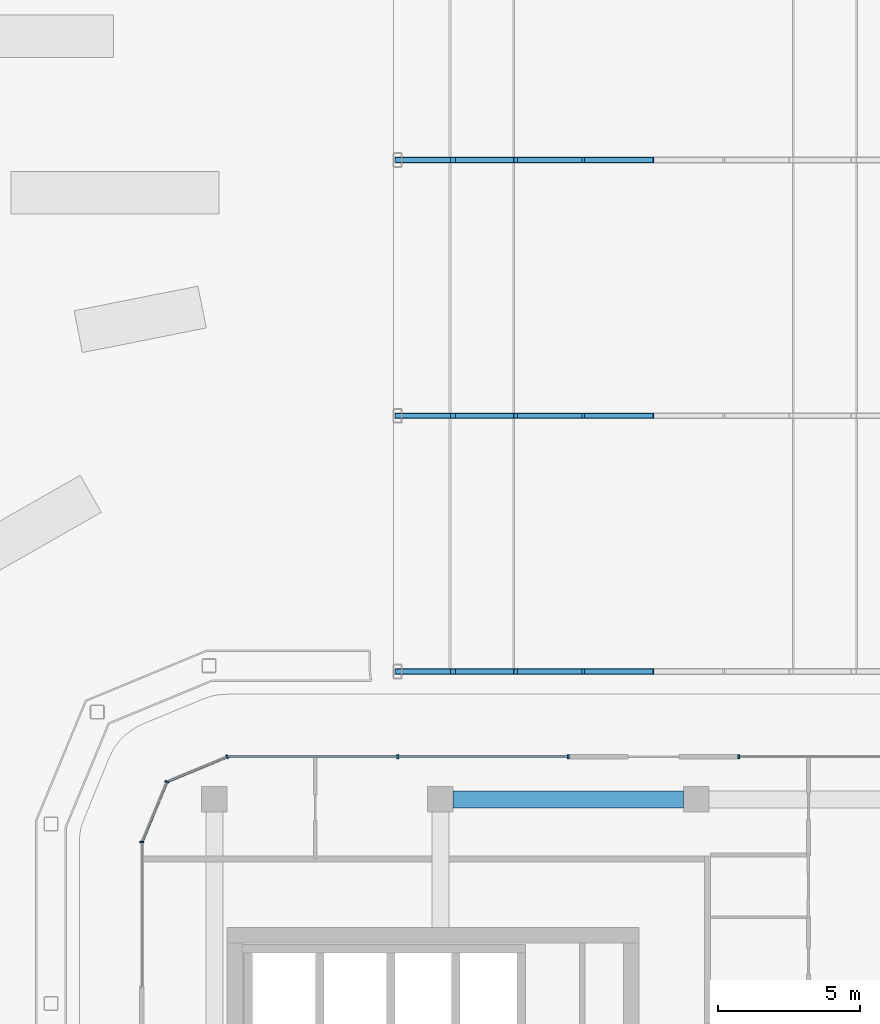
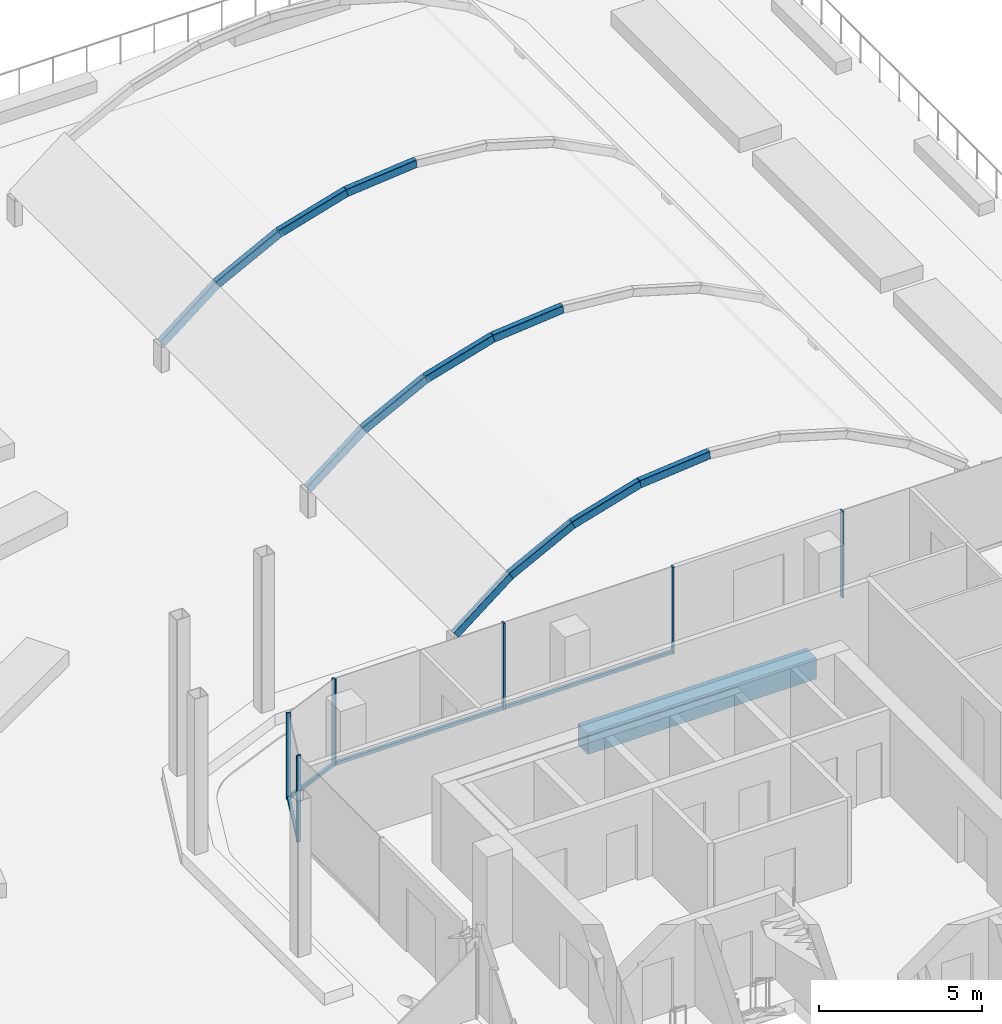
# One storey, part 16 of 33: 21 members, 1 beam, 5 elements without a shape of their own.
"""IFC4 building model written with IfcOpenShell, lengths in metres."""

from ifc_helpers import new_model, si_unit, direction, frame, origin, origin_2d, place, context, subcontext, project, spatial, rectangle, hollow_rectangle, extrude, material, layer, layer_set, material_profile, profile_set, type_object, element, aggregate, save


model = new_model("IFC4")

# Units and contexts
model_context = context("Model", 3, precision=1e-05, world=origin(), true_north=direction((0.0, 1.0)))
body_context = subcontext(model_context, "Body", "Model", "MODEL_VIEW")
ifc_project = project(units=[si_unit("LENGTHUNIT", "METRE"), si_unit("AREAUNIT", "SQUARE_METRE"), si_unit("VOLUMEUNIT", "CUBIC_METRE"), si_unit("PLANEANGLEUNIT", "RADIAN"), si_unit("MASSUNIT", "GRAM", prefix="KILO")], contexts=[model_context])

# Site, building, storey
site_placement = place(None, origin())
site = spatial("IfcSite", under=ifc_project, at=site_placement, CompositionType="ELEMENT")
building_placement = place(site_placement, origin())
building = spatial("IfcBuilding", under=site, at=building_placement, Name="Plateau Cross Towers", CompositionType="ELEMENT")
storey_placement = place(building_placement, frame((0.0, 0.0, 26.800048828125)))
storey = spatial("IfcBuildingStorey", under=building, at=storey_placement, Name="L05", CompositionType="ELEMENT", Elevation=26.800048828125)

# Curtain wall, member
ifc_material_1 = material(Name="Dark low-iron glass", Category="glass")
ifc_layer = layer(ifc_material_1, 0.239990234375)
ifc_layer_set = layer_set([ifc_layer], Name="Dark low-iron glass")
curtain_wall_type = type_object("IfcCurtainWallType", Name="Curtain wall office unitised CW-F", PredefinedType="NOTDEFINED", material=ifc_layer_set)
curtain_wall_1_placement = place(storey_placement, origin())
curtain_wall_1 = element("IfcCurtainWall", 1, at=curtain_wall_1_placement, inside=storey, type_object=curtain_wall_type, Name="ENV/B/L05/B990_240", PredefinedType="NOTDEFINED")
ifc_material_2 = material(Name="Black anodised aluminium", Category="aluminium")
ifc_material_profile_1 = material_profile(ifc_material_2, rectangle(XDim=0.06005859375, YDim=0.139892578125, at=origin_2d()), Name="MULLION 60x140")
ifc_profile_set_1 = profile_set([ifc_material_profile_1], Name="Black anodised aluminium")
member_type_1 = type_object("IfcMemberType", Name="Mullion 60x140 office unitised", PredefinedType="MULLION", material=ifc_profile_set_1)
member_1_placement = place(storey_placement, frame((93.0, 24.0, 0.0), z_axis=(0.0, 0.0, 1.0), x_axis=(-1.0, 0.0, 0.0)))
member_1 = element("IfcMember", 2, at=member_1_placement, type_object=member_type_1, Name="CW-F mullion 2", PredefinedType="MULLION", context=body_context, shape_type="SweptSolid", body=[
    extrude(rectangle(XDim=0.06005859375, YDim=0.139892578125, at=origin_2d()), origin(), (0.0, 0.0, 1.0), 3.25),
])
aggregate(curtain_wall_1, [member_1])

# Curtain wall, members
curtain_wall_2_placement = place(storey_placement, origin())
curtain_wall_2 = element("IfcCurtainWall", 3, at=curtain_wall_2_placement, inside=storey, type_object=curtain_wall_type, Name="ENV/B/L05/B870_240", PredefinedType="NOTDEFINED")
member_2_placement = place(storey_placement, frame((87.0, 24.0, 0.0), z_axis=(0.0, 0.0, 1.0), x_axis=(-1.0, 0.0, 0.0)))
member_2 = element("IfcMember", 4, at=member_2_placement, type_object=member_type_1, Name="CW-F mullion 1", PredefinedType="MULLION", context=body_context, shape_type="SweptSolid", body=[
    extrude(rectangle(XDim=0.06005859375, YDim=0.139892578125, at=origin_2d()), origin(), (0.0, 0.0, 1.0), 3.25),
])
member_3_placement = place(storey_placement, frame((81.0, 24.0, 0.0), z_axis=(0.0, 0.0, 1.0), x_axis=(-1.0, 0.0, 0.0)))
member_3 = element("IfcMember", 5, at=member_3_placement, type_object=member_type_1, Name="CW-F mullion 2", PredefinedType="MULLION", context=body_context, shape_type="SweptSolid", body=[
    extrude(rectangle(XDim=0.06005859375, YDim=0.139892578125, at=origin_2d()), origin(), (0.0, 0.0, 1.0), 3.25),
])

# Curtain wall, member
curtain_wall_3_placement = place(storey_placement, origin())
curtain_wall_3 = element("IfcCurtainWall", 6, at=curtain_wall_3_placement, inside=storey, type_object=curtain_wall_type, Name="ENV/B/L05/B750_240", PredefinedType="NOTDEFINED")
member_4_placement = place(storey_placement, frame((75.0, 24.0, 0.0), z_axis=(0.0, 0.0, 1.0), x_axis=(-0.923879457699, -0.382683612978, 0.0)))
member_4 = element("IfcMember", 7, at=member_4_placement, type_object=member_type_1, Name="CW-F mullion 1", PredefinedType="MULLION", context=body_context, shape_type="SweptSolid", body=[
    extrude(rectangle(XDim=0.06005859375, YDim=0.139892578125, at=origin_2d()), origin(), (0.0, 0.0, 1.0), 3.25),
])

curtain_wall_4_placement = place(storey_placement, origin())
curtain_wall_4 = element("IfcCurtainWall", 8, at=curtain_wall_4_placement, inside=storey, type_object=curtain_wall_type, Name="ENV/B/L05/B729_231", PredefinedType="NOTDEFINED")
member_5_placement = place(storey_placement, frame((72.878662109375, 23.121337890625, 0.0), z_axis=(0.0, 0.0, 1.0), x_axis=(-0.382683612978, -0.923879457699, 0.0)))
member_5 = element("IfcMember", 9, at=member_5_placement, type_object=member_type_1, Name="CW-F mullion 1", PredefinedType="MULLION", context=body_context, shape_type="SweptSolid", body=[
    extrude(rectangle(XDim=0.06005859375, YDim=0.139892578125, at=origin_2d()), origin(), (0.0, 0.0, 1.0), 3.25),
])

curtain_wall_5_placement = place(storey_placement, origin())
curtain_wall_5 = element("IfcCurtainWall", 10, at=curtain_wall_5_placement, inside=storey, type_object=curtain_wall_type, Name="ENV/B/L05/B720_210", PredefinedType="NOTDEFINED")
member_6_placement = place(storey_placement, frame((72.0, 21.0, 0.0), z_axis=(0.0, 0.0, 1.0), x_axis=(0.0, -1.0, 0.0)))
member_6 = element("IfcMember", 11, at=member_6_placement, type_object=member_type_1, Name="CW-F mullion 1", PredefinedType="MULLION", context=body_context, shape_type="SweptSolid", body=[
    extrude(rectangle(XDim=0.06005859375, YDim=0.139892578125, at=origin_2d()), origin(), (0.0, 0.0, 1.0), 3.25),
])
aggregate(curtain_wall_5, [member_6])

# Beam
ifc_material_3 = material(Name="Concrete C60/75", Category="concrete")
ifc_material_profile_2 = material_profile(ifc_material_3, rectangle(XDim=0.60009765625, YDim=0.800048828125, at=origin_2d()), Name="RC 600x800")
ifc_profile_set_2 = profile_set([ifc_material_profile_2], Name="Concrete C60/75")
beam_type = type_object("IfcBeamType", Name="Ring beam RC 600x800", PredefinedType="BEAM", material=ifc_profile_set_2)
beam_placement = place(storey_placement, frame((91.050048828125, 22.5, -0.900146484375), z_axis=(-1.0, 0.0, 0.0), x_axis=(0.0, -1.0, 0.0)))
element("IfcBeam", 12, at=beam_placement, inside=storey, type_object=beam_type, Name="B-RB07@L05", PredefinedType="BEAM", context=body_context, shape_type="SweptSolid", body=[
    extrude(rectangle(XDim=0.60009765625, YDim=0.800048828125, at=origin_2d()), origin(), (0.0, 0.0, 1.0), 8.10009765625),
])

# Member
ifc_material_profile_3 = material_profile(ifc_material_2, rectangle(XDim=0.10009765625, YDim=0.1201171875, at=origin_2d()), Name="TRANSOM 100x120")
ifc_profile_set_3 = profile_set([ifc_material_profile_3], Name="Black anodised aluminium")
member_type_2 = type_object("IfcMemberType", Name="Transom 100x120 office unitised", PredefinedType="USERDEFINED", material=ifc_profile_set_3)
member_7_placement = place(storey_placement, frame((87.0, 24.0, 0.06005859375), z_axis=(-1.0, 0.0, 0.0), x_axis=(0.0, -1.0, 0.0)))
member_7 = element("IfcMember", 13, at=member_7_placement, type_object=member_type_2, Name="CW-F transom", ObjectType="TRANSOM", PredefinedType="USERDEFINED", context=body_context, shape_type="SweptSolid", body=[
    extrude(rectangle(XDim=0.10009765625, YDim=0.1201171875, at=origin_2d()), origin(), (0.0, 0.0, 1.0), 12.0),
])

aggregate(curtain_wall_2, [member_2, member_3, member_7])

member_8_placement = place(storey_placement, frame((75.0, 24.0, 0.06005859375), z_axis=(-0.923883353507, -0.382674207535, 0.0), x_axis=(0.382674207535, -0.923883353507, 0.0)))
member_8 = element("IfcMember", 14, at=member_8_placement, type_object=member_type_2, Name="CW-F transom", ObjectType="TRANSOM", PredefinedType="USERDEFINED", context=body_context, shape_type="SweptSolid", body=[
    extrude(rectangle(XDim=0.10009765625, YDim=0.1201171875, at=origin_2d()), origin(), (0.0, 0.0, 1.0), 2.296142578125),
])

aggregate(curtain_wall_3, [member_4, member_8])

member_9_placement = place(storey_placement, frame((72.878662109375, 23.121337890625, 0.06005859375), z_axis=(-0.382674207535, -0.923883353507, 0.0), x_axis=(0.923883353507, -0.382674207535, 0.0)))
member_9 = element("IfcMember", 15, at=member_9_placement, type_object=member_type_2, Name="CW-F transom", ObjectType="TRANSOM", PredefinedType="USERDEFINED", context=body_context, shape_type="SweptSolid", body=[
    extrude(rectangle(XDim=0.10009765625, YDim=0.1201171875, at=origin_2d()), origin(), (0.0, 0.0, 1.0), 2.296142578125),
])

aggregate(curtain_wall_4, [member_5, member_9])

# Members
ifc_material_4 = material(Name="Steel S355", Category="steel")
ifc_material_profile_4 = material_profile(ifc_material_4, hollow_rectangle(XDim=0.199951171875, YDim=0.300048828125, WallThickness=0.012451171875, InnerFilletRadius=0.012451171875, OuterFilletRadius=0.02490234375, at=origin_2d()), Name="RHS 300x200x12.5")
ifc_profile_set_4 = profile_set([ifc_material_profile_4], Name="Steel S355")
member_type_3 = type_object("IfcMemberType", Name="Vault rafter RHS 300x200x12.5", PredefinedType="RAFTER", material=ifc_profile_set_4)
for number, where, z_axis, x_axis, name in (
    (16, (81.0, 27.0, 1.0), (0.786362761519, 0.0, 0.61776500977), (0.0, 1.0, 0.0), "Pavilion rafter 1-1"),
    (17, (82.949462890625, 27.0, 2.531494140625), (0.889025580231, 0.0, 0.45785752991), (0.0, 1.0, 0.0), "Pavilion rafter 1-2"),
):
    element("IfcMember", number, at=place(storey_placement, frame(where, z_axis=z_axis, x_axis=x_axis)), inside=storey, type_object=member_type_3, Name=name, PredefinedType="RAFTER", context=body_context, shape_type="SweptSolid", body=[
        extrude(hollow_rectangle(XDim=0.199951171875, YDim=0.300048828125, WallThickness=0.012451171875, InnerFilletRadius=0.012451171875, OuterFilletRadius=0.02490234375, at=origin_2d()), origin(), (0.0, 0.0, 1.0), 2.47900390625),
    ])
member_10_placement = place(storey_placement, frame((85.1533203125, 27.0, 3.66650390625), z_axis=(0.959548764946, 0.0, 0.28154247937), x_axis=(0.0, 1.0, 0.0)))
element("IfcMember", 18, at=member_10_placement, inside=storey, type_object=member_type_3, Name="Pavilion rafter 1-3", PredefinedType="RAFTER", context=body_context, shape_type="SweptSolid", body=[
    extrude(hollow_rectangle(XDim=0.199951171875, YDim=0.300048828125, WallThickness=0.012451171875, InnerFilletRadius=0.012451171875, OuterFilletRadius=0.02490234375, at=origin_2d()), origin(), (0.0, 0.0, 1.0), 2.479248046875),
])
for number, where, z_axis, x_axis, name in (
    (19, (87.5322265625, 27.0, 4.364501953125), (0.995483070512, 0.0, 0.094939224374), (0.0, 1.0, 0.0), "Pavilion rafter 1-4"),
    (20, (81.0, 36.0, 1.0), (0.786362761519, 0.0, 0.61776500977), (0.0, 1.0, 0.0), "Pavilion rafter 2-1"),
    (21, (82.949462890625, 36.0, 2.531494140625), (0.889025580231, 0.0, 0.45785752991), (0.0, 1.0, 0.0), "Pavilion rafter 2-2"),
):
    element("IfcMember", number, at=place(storey_placement, frame(where, z_axis=z_axis, x_axis=x_axis)), inside=storey, type_object=member_type_3, Name=name, PredefinedType="RAFTER", context=body_context, shape_type="SweptSolid", body=[
        extrude(hollow_rectangle(XDim=0.199951171875, YDim=0.300048828125, WallThickness=0.012451171875, InnerFilletRadius=0.012451171875, OuterFilletRadius=0.02490234375, at=origin_2d()), origin(), (0.0, 0.0, 1.0), 2.47900390625),
    ])
member_11_placement = place(storey_placement, frame((85.1533203125, 36.0, 3.66650390625), z_axis=(0.959548764946, 0.0, 0.28154247937), x_axis=(0.0, 1.0, 0.0)))
element("IfcMember", 22, at=member_11_placement, inside=storey, type_object=member_type_3, Name="Pavilion rafter 2-3", PredefinedType="RAFTER", context=body_context, shape_type="SweptSolid", body=[
    extrude(hollow_rectangle(XDim=0.199951171875, YDim=0.300048828125, WallThickness=0.012451171875, InnerFilletRadius=0.012451171875, OuterFilletRadius=0.02490234375, at=origin_2d()), origin(), (0.0, 0.0, 1.0), 2.479248046875),
])
for number, where, z_axis, x_axis, name in (
    (23, (87.5322265625, 36.0, 4.364501953125), (0.995483070512, 0.0, 0.094939224374), (0.0, 1.0, 0.0), "Pavilion rafter 2-4"),
    (24, (81.0, 45.0, 1.0), (0.786362761519, 0.0, 0.61776500977), (0.0, 1.0, 0.0), "Pavilion rafter 3-1"),
    (25, (82.949462890625, 45.0, 2.531494140625), (0.889025580231, 0.0, 0.45785752991), (0.0, 1.0, 0.0), "Pavilion rafter 3-2"),
):
    element("IfcMember", number, at=place(storey_placement, frame(where, z_axis=z_axis, x_axis=x_axis)), inside=storey, type_object=member_type_3, Name=name, PredefinedType="RAFTER", context=body_context, shape_type="SweptSolid", body=[
        extrude(hollow_rectangle(XDim=0.199951171875, YDim=0.300048828125, WallThickness=0.012451171875, InnerFilletRadius=0.012451171875, OuterFilletRadius=0.02490234375, at=origin_2d()), origin(), (0.0, 0.0, 1.0), 2.47900390625),
    ])
member_12_placement = place(storey_placement, frame((85.1533203125, 45.0, 3.66650390625), z_axis=(0.959548764946, 0.0, 0.28154247937), x_axis=(0.0, 1.0, 0.0)))
element("IfcMember", 26, at=member_12_placement, inside=storey, type_object=member_type_3, Name="Pavilion rafter 3-3", PredefinedType="RAFTER", context=body_context, shape_type="SweptSolid", body=[
    extrude(hollow_rectangle(XDim=0.199951171875, YDim=0.300048828125, WallThickness=0.012451171875, InnerFilletRadius=0.012451171875, OuterFilletRadius=0.02490234375, at=origin_2d()), origin(), (0.0, 0.0, 1.0), 2.479248046875),
])
member_13_placement = place(storey_placement, frame((87.5322265625, 45.0, 4.364501953125), z_axis=(0.995483070512, 0.0, 0.094939224374), x_axis=(0.0, 1.0, 0.0)))
element("IfcMember", 27, at=member_13_placement, inside=storey, type_object=member_type_3, Name="Pavilion rafter 3-4", PredefinedType="RAFTER", context=body_context, shape_type="SweptSolid", body=[
    extrude(hollow_rectangle(XDim=0.199951171875, YDim=0.300048828125, WallThickness=0.012451171875, InnerFilletRadius=0.012451171875, OuterFilletRadius=0.02490234375, at=origin_2d()), origin(), (0.0, 0.0, 1.0), 2.47900390625),
])

save(model, "model.ifc")
